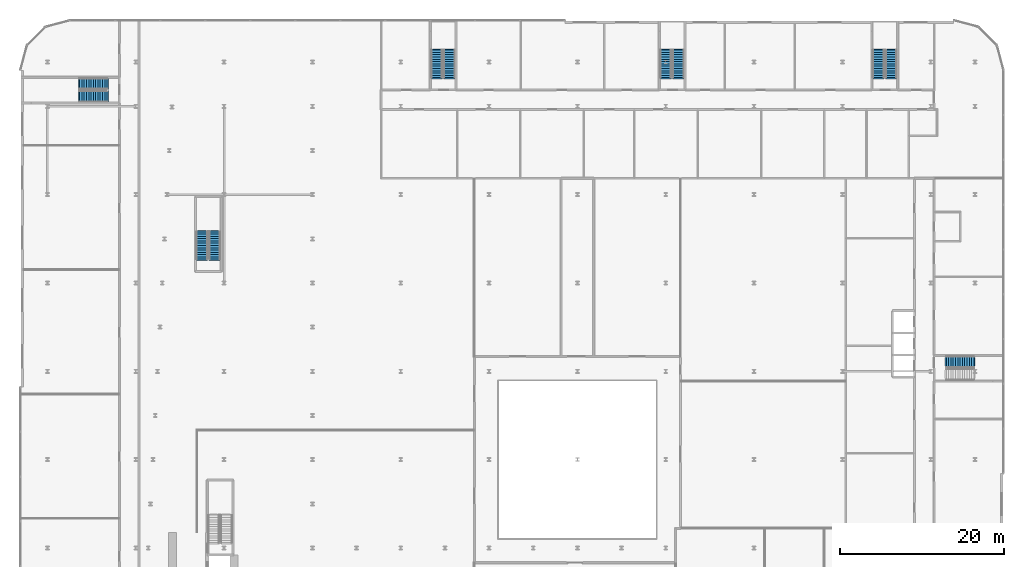
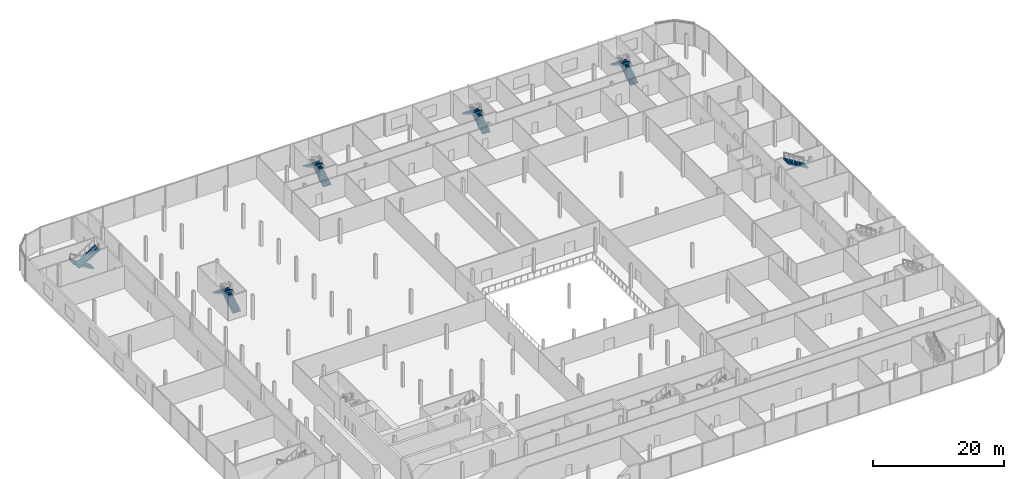
# One storey, part 38 of 47: 11 stair flights, 6 elements without a shape of their own.
"""IFC4 building model written with IfcOpenShell, lengths in metres."""

from ifc_helpers import new_model, si_unit, direction, frame, origin, place, context, subcontext, project, spatial, polyline, outline, extrude, material, layer, layer_set, type_object, element, aggregate, save


model = new_model("IFC4")

# Units and contexts
model_context = context("Model", 3, precision=1e-05, world=origin(), true_north=direction((0.0, 1.0)))
body_context = subcontext(model_context, "Body", "Model", "MODEL_VIEW")
ifc_project = project(units=[si_unit("LENGTHUNIT", "METRE"), si_unit("AREAUNIT", "SQUARE_METRE"), si_unit("VOLUMEUNIT", "CUBIC_METRE"), si_unit("PLANEANGLEUNIT", "RADIAN"), si_unit("MASSUNIT", "GRAM", prefix="KILO")], contexts=[model_context])

# Site, building, storey
site_placement = place(None, origin())
site = spatial("IfcSite", under=ifc_project, at=site_placement, CompositionType="ELEMENT")
building_placement = place(site_placement, origin())
building = spatial("IfcBuilding", under=site, at=building_placement, Name="Kheshtan School and Residences Tower", CompositionType="ELEMENT")
storey_placement = place(building_placement, frame((0.0, 0.0, 12.5)))
storey = spatial("IfcBuildingStorey", under=building, at=storey_placement, Name="L02", CompositionType="ELEMENT", Elevation=12.5)

# Stair, stair flights
ifc_material = material(Name="Concrete C40/50", Category="concrete")
stair_type = type_object("IfcStairType", Name="Exit stair, half-turn", PredefinedType="HALF_TURN_STAIR", material=ifc_material)
stair_1_placement = place(storey_placement, origin())
stair_1 = element("IfcStair", 1, at=stair_1_placement, inside=storey, type_object=stair_type, Name="L02 Protected Exit Stair ST3", PredefinedType="HALF_TURN_STAIR")
ifc_layer = layer(ifc_material, 0.14990234375)
ifc_layer_set = layer_set([ifc_layer], Name="Stair flight 1400 Concrete C40/50")
stair_flight_type = type_object("IfcStairFlightType", Name="Stair flight 1400 Concrete C40/50", PredefinedType="STRAIGHT", material=ifc_layer_set)
stair_flight_1_placement = place(storey_placement, frame((35.64990234375, 80.89990234375, 0.0), z_axis=(0.0, 0.0, 1.0), x_axis=(0.0, 1.0, 0.0)))
stair_flight_1 = element("IfcStairFlight", 2, at=stair_flight_1_placement, type_object=stair_flight_type, Name="ST3 flight 1", NumberOfRisers=13, NumberOfTreads=12, PredefinedType="STRAIGHT", RiserHeight=0.173076923, TreadLength=0.28, context=body_context, shape_type="SweptSolid", body=[
    extrude(outline(polyline([(-0.14990234375, -0.10009765625), (-0.14990234375, 0.0), (0.0, 0.0), (0.0, 0.173095703125), (0.280029296875, 0.173095703125), (0.280029296875, 0.34619140625), (0.56005859375, 0.34619140625), (0.56005859375, 0.519287109375), (0.840087890625, 0.519287109375), (0.840087890625, 0.6923828125), (1.1201171875, 0.6923828125), (1.1201171875, 0.865478515625), (1.39990234375, 0.865478515625), (1.39990234375, 1.03857421875), (1.679931640625, 1.03857421875), (1.679931640625, 1.21142578125), (1.9599609375, 1.21142578125), (1.9599609375, 1.384521484375), (2.239990234375, 1.384521484375), (2.239990234375, 1.5576171875), (2.52001953125, 1.5576171875), (2.52001953125, 1.730712890625), (2.800048828125, 1.730712890625), (2.800048828125, 1.90380859375), (3.080078125, 1.90380859375), (3.080078125, 2.076904296875), (3.360107421875, 2.076904296875), (3.360107421875, 2.25), (3.360107421875, 2.27001953125), (3.510009765625, 2.27001953125), (3.510009765625, 1.900634765625), (0.28515625, 0.0), (-0.14990234375, -0.10009765625)])), frame((0.0, 0.699951171875, 0.0), z_axis=(0.0, -1.0, 0.0), x_axis=(1.0, 0.0, 0.0)), (0.0, 0.0, 1.0), 1.39990234375),
])
stair_flight_2_placement = place(storey_placement, frame((34.10009765625, 84.260009765625, 2.25), z_axis=(0.0, 0.0, 1.0), x_axis=(0.0, -1.0, 0.0)))
stair_flight_2 = element("IfcStairFlight", 3, at=stair_flight_2_placement, type_object=stair_flight_type, Name="ST3 flight 2", NumberOfRisers=13, NumberOfTreads=12, PredefinedType="STRAIGHT", RiserHeight=0.173076923, TreadLength=0.28, context=body_context, shape_type="SweptSolid", body=[
    extrude(outline(polyline([(-0.14990234375, -0.10009765625), (-0.14990234375, 0.0), (0.0, 0.0), (0.0, 0.173095703125), (0.280029296875, 0.173095703125), (0.280029296875, 0.34619140625), (0.56005859375, 0.34619140625), (0.56005859375, 0.519287109375), (0.840087890625, 0.519287109375), (0.840087890625, 0.6923828125), (1.1201171875, 0.6923828125), (1.1201171875, 0.865478515625), (1.39990234375, 0.865478515625), (1.39990234375, 1.03857421875), (1.679931640625, 1.03857421875), (1.679931640625, 1.21142578125), (1.9599609375, 1.21142578125), (1.9599609375, 1.384521484375), (2.239990234375, 1.384521484375), (2.239990234375, 1.5576171875), (2.52001953125, 1.5576171875), (2.52001953125, 1.730712890625), (2.800048828125, 1.730712890625), (2.800048828125, 1.90380859375), (3.080078125, 1.90380859375), (3.080078125, 2.076904296875), (3.360107421875, 2.076904296875), (3.360107421875, 2.25), (3.360107421875, 2.27001953125), (3.510009765625, 2.27001953125), (3.510009765625, 1.900634765625), (0.28515625, 0.0), (-0.14990234375, -0.10009765625)])), frame((0.0, 0.699951171875, 0.0), z_axis=(0.0, -1.0, 0.0), x_axis=(1.0, 0.0, 0.0)), (0.0, 0.0, 1.0), 1.39990234375),
])
aggregate(stair_1, [stair_flight_1, stair_flight_2])

stair_2_placement = place(storey_placement, origin())
stair_2 = element("IfcStair", 4, at=stair_2_placement, inside=storey, type_object=stair_type, Name="L02 Civic Exit Stair 012-100", PredefinedType="HALF_TURN_STAIR")
stair_flight_3_placement = place(storey_placement, frame((22.5, 102.35009765625, 0.0), z_axis=(0.0, 0.0, 1.0), x_axis=(-1.0, 0.0, 0.0)))
stair_flight_3 = element("IfcStairFlight", 5, at=stair_flight_3_placement, type_object=stair_flight_type, Name="PS-012-100 flight 1", NumberOfRisers=13, NumberOfTreads=12, PredefinedType="STRAIGHT", RiserHeight=0.173076923, TreadLength=0.28, context=body_context, shape_type="SweptSolid", body=[
    extrude(outline(polyline([(-0.14990234375, -0.10009765625), (-0.14990234375, 0.0), (0.0, 0.0), (0.0, 0.173095703125), (0.280029296875, 0.173095703125), (0.280029296875, 0.34619140625), (0.56005859375, 0.34619140625), (0.56005859375, 0.519287109375), (0.840087890625, 0.519287109375), (0.840087890625, 0.6923828125), (1.1201171875, 0.6923828125), (1.1201171875, 0.865478515625), (1.39990234375, 0.865478515625), (1.39990234375, 1.03857421875), (1.679931640625, 1.03857421875), (1.679931640625, 1.21142578125), (1.9599609375, 1.21142578125), (1.9599609375, 1.384521484375), (2.239990234375, 1.384521484375), (2.239990234375, 1.5576171875), (2.52001953125, 1.5576171875), (2.52001953125, 1.730712890625), (2.800048828125, 1.730712890625), (2.800048828125, 1.90380859375), (3.080078125, 1.90380859375), (3.080078125, 2.076904296875), (3.360107421875, 2.076904296875), (3.360107421875, 2.25), (3.360107421875, 2.27001953125), (3.510009765625, 2.27001953125), (3.510009765625, 1.900634765625), (0.28515625, 0.0), (-0.14990234375, -0.10009765625)])), frame((0.0, 0.699951171875, 0.0), z_axis=(0.0, -1.0, 0.0), x_axis=(1.0, 0.0, 0.0)), (0.0, 0.0, 1.0), 1.39990234375),
])
stair_flight_4_placement = place(storey_placement, frame((19.139892578125, 100.800048828125, 2.25), z_axis=(0.0, 0.0, 1.0), x_axis=(1.0, 0.0, 0.0)))
stair_flight_4 = element("IfcStairFlight", 6, at=stair_flight_4_placement, type_object=stair_flight_type, Name="PS-012-100 flight 2", NumberOfRisers=13, NumberOfTreads=12, PredefinedType="STRAIGHT", RiserHeight=0.173076923, TreadLength=0.28, context=body_context, shape_type="SweptSolid", body=[
    extrude(outline(polyline([(-0.14990234375, -0.10009765625), (-0.14990234375, 0.0), (0.0, 0.0), (0.0, 0.173095703125), (0.280029296875, 0.173095703125), (0.280029296875, 0.34619140625), (0.56005859375, 0.34619140625), (0.56005859375, 0.519287109375), (0.840087890625, 0.519287109375), (0.840087890625, 0.6923828125), (1.1201171875, 0.6923828125), (1.1201171875, 0.865478515625), (1.39990234375, 0.865478515625), (1.39990234375, 1.03857421875), (1.679931640625, 1.03857421875), (1.679931640625, 1.21142578125), (1.9599609375, 1.21142578125), (1.9599609375, 1.384521484375), (2.239990234375, 1.384521484375), (2.239990234375, 1.5576171875), (2.52001953125, 1.5576171875), (2.52001953125, 1.730712890625), (2.800048828125, 1.730712890625), (2.800048828125, 1.90380859375), (3.080078125, 1.90380859375), (3.080078125, 2.076904296875), (3.360107421875, 2.076904296875), (3.360107421875, 2.25), (3.360107421875, 2.27001953125), (3.510009765625, 2.27001953125), (3.510009765625, 1.900634765625), (0.28515625, 0.0), (-0.14990234375, -0.10009765625)])), frame((0.0, 0.699951171875, 0.0), z_axis=(0.0, -1.0, 0.0), x_axis=(1.0, 0.0, 0.0)), (0.0, 0.0, 1.0), 1.39990234375),
])
aggregate(stair_2, [stair_flight_3, stair_flight_4])

stair_3_placement = place(storey_placement, origin())
stair_3 = element("IfcStair", 7, at=stair_3_placement, inside=storey, type_object=stair_type, Name="L02 School Exit Stair 062-102", PredefinedType="HALF_TURN_STAIR")
stair_flight_5_placement = place(storey_placement, frame((64.35009765625, 103.10009765625, 0.0), z_axis=(0.0, 0.0, 1.0), x_axis=(0.0, 1.0, 0.0)))
stair_flight_5 = element("IfcStairFlight", 8, at=stair_flight_5_placement, type_object=stair_flight_type, Name="PS-062-102 flight 1", NumberOfRisers=13, NumberOfTreads=12, PredefinedType="STRAIGHT", RiserHeight=0.173076923, TreadLength=0.28, context=body_context, shape_type="SweptSolid", body=[
    extrude(outline(polyline([(-0.14990234375, -0.10009765625), (-0.14990234375, 0.0), (0.0, 0.0), (0.0, 0.173095703125), (0.280029296875, 0.173095703125), (0.280029296875, 0.34619140625), (0.56005859375, 0.34619140625), (0.56005859375, 0.519287109375), (0.840087890625, 0.519287109375), (0.840087890625, 0.6923828125), (1.1201171875, 0.6923828125), (1.1201171875, 0.865478515625), (1.39990234375, 0.865478515625), (1.39990234375, 1.03857421875), (1.679931640625, 1.03857421875), (1.679931640625, 1.21142578125), (1.9599609375, 1.21142578125), (1.9599609375, 1.384521484375), (2.239990234375, 1.384521484375), (2.239990234375, 1.5576171875), (2.52001953125, 1.5576171875), (2.52001953125, 1.730712890625), (2.800048828125, 1.730712890625), (2.800048828125, 1.90380859375), (3.080078125, 1.90380859375), (3.080078125, 2.076904296875), (3.360107421875, 2.076904296875), (3.360107421875, 2.25), (3.360107421875, 2.27001953125), (3.510009765625, 2.27001953125), (3.510009765625, 1.900634765625), (0.28515625, 0.0), (-0.14990234375, -0.10009765625)])), frame((0.0, 0.699951171875, 0.0), z_axis=(0.0, -1.0, 0.0), x_axis=(1.0, 0.0, 0.0)), (0.0, 0.0, 1.0), 1.39990234375),
])
stair_flight_6_placement = place(storey_placement, frame((62.800048828125, 106.4599609375, 2.25), z_axis=(0.0, 0.0, 1.0), x_axis=(0.0, -1.0, 0.0)))
stair_flight_6 = element("IfcStairFlight", 9, at=stair_flight_6_placement, type_object=stair_flight_type, Name="PS-062-102 flight 2", NumberOfRisers=13, NumberOfTreads=12, PredefinedType="STRAIGHT", RiserHeight=0.173076923, TreadLength=0.28, context=body_context, shape_type="SweptSolid", body=[
    extrude(outline(polyline([(-0.14990234375, -0.10009765625), (-0.14990234375, 0.0), (0.0, 0.0), (0.0, 0.173095703125), (0.280029296875, 0.173095703125), (0.280029296875, 0.34619140625), (0.56005859375, 0.34619140625), (0.56005859375, 0.519287109375), (0.840087890625, 0.519287109375), (0.840087890625, 0.6923828125), (1.1201171875, 0.6923828125), (1.1201171875, 0.865478515625), (1.39990234375, 0.865478515625), (1.39990234375, 1.03857421875), (1.679931640625, 1.03857421875), (1.679931640625, 1.21142578125), (1.9599609375, 1.21142578125), (1.9599609375, 1.384521484375), (2.239990234375, 1.384521484375), (2.239990234375, 1.5576171875), (2.52001953125, 1.5576171875), (2.52001953125, 1.730712890625), (2.800048828125, 1.730712890625), (2.800048828125, 1.90380859375), (3.080078125, 1.90380859375), (3.080078125, 2.076904296875), (3.360107421875, 2.076904296875), (3.360107421875, 2.25), (3.360107421875, 2.27001953125), (3.510009765625, 2.27001953125), (3.510009765625, 1.900634765625), (0.28515625, 0.0), (-0.14990234375, -0.10009765625)])), frame((0.0, 0.699951171875, 0.0), z_axis=(0.0, -1.0, 0.0), x_axis=(1.0, 0.0, 0.0)), (0.0, 0.0, 1.0), 1.39990234375),
])
aggregate(stair_3, [stair_flight_5, stair_flight_6])

stair_4_placement = place(storey_placement, origin())
stair_4 = element("IfcStair", 10, at=stair_4_placement, inside=storey, type_object=stair_type, Name="L02 School Exit Stair 090-102", PredefinedType="HALF_TURN_STAIR")
stair_flight_7_placement = place(storey_placement, frame((92.35009765625, 103.10009765625, 0.0), z_axis=(0.0, 0.0, 1.0), x_axis=(0.0, 1.0, 0.0)))
stair_flight_7 = element("IfcStairFlight", 11, at=stair_flight_7_placement, type_object=stair_flight_type, Name="PS-090-102 flight 1", NumberOfRisers=13, NumberOfTreads=12, PredefinedType="STRAIGHT", RiserHeight=0.173076923, TreadLength=0.28, context=body_context, shape_type="SweptSolid", body=[
    extrude(outline(polyline([(-0.14990234375, -0.10009765625), (-0.14990234375, 0.0), (0.0, 0.0), (0.0, 0.173095703125), (0.280029296875, 0.173095703125), (0.280029296875, 0.34619140625), (0.56005859375, 0.34619140625), (0.56005859375, 0.519287109375), (0.840087890625, 0.519287109375), (0.840087890625, 0.6923828125), (1.1201171875, 0.6923828125), (1.1201171875, 0.865478515625), (1.39990234375, 0.865478515625), (1.39990234375, 1.03857421875), (1.679931640625, 1.03857421875), (1.679931640625, 1.21142578125), (1.9599609375, 1.21142578125), (1.9599609375, 1.384521484375), (2.239990234375, 1.384521484375), (2.239990234375, 1.5576171875), (2.52001953125, 1.5576171875), (2.52001953125, 1.730712890625), (2.800048828125, 1.730712890625), (2.800048828125, 1.90380859375), (3.080078125, 1.90380859375), (3.080078125, 2.076904296875), (3.360107421875, 2.076904296875), (3.360107421875, 2.25), (3.360107421875, 2.27001953125), (3.510009765625, 2.27001953125), (3.510009765625, 1.900634765625), (0.28515625, 0.0), (-0.14990234375, -0.10009765625)])), frame((0.0, 0.699951171875, 0.0), z_axis=(0.0, -1.0, 0.0), x_axis=(1.0, 0.0, 0.0)), (0.0, 0.0, 1.0), 1.39990234375),
])
stair_flight_8_placement = place(storey_placement, frame((90.800048828125, 106.4599609375, 2.25), z_axis=(0.0, 0.0, 1.0), x_axis=(0.0, -1.0, 0.0)))
stair_flight_8 = element("IfcStairFlight", 12, at=stair_flight_8_placement, type_object=stair_flight_type, Name="PS-090-102 flight 2", NumberOfRisers=13, NumberOfTreads=12, PredefinedType="STRAIGHT", RiserHeight=0.173076923, TreadLength=0.28, context=body_context, shape_type="SweptSolid", body=[
    extrude(outline(polyline([(-0.14990234375, -0.10009765625), (-0.14990234375, 0.0), (0.0, 0.0), (0.0, 0.173095703125), (0.280029296875, 0.173095703125), (0.280029296875, 0.34619140625), (0.56005859375, 0.34619140625), (0.56005859375, 0.519287109375), (0.840087890625, 0.519287109375), (0.840087890625, 0.6923828125), (1.1201171875, 0.6923828125), (1.1201171875, 0.865478515625), (1.39990234375, 0.865478515625), (1.39990234375, 1.03857421875), (1.679931640625, 1.03857421875), (1.679931640625, 1.21142578125), (1.9599609375, 1.21142578125), (1.9599609375, 1.384521484375), (2.239990234375, 1.384521484375), (2.239990234375, 1.5576171875), (2.52001953125, 1.5576171875), (2.52001953125, 1.730712890625), (2.800048828125, 1.730712890625), (2.800048828125, 1.90380859375), (3.080078125, 1.90380859375), (3.080078125, 2.076904296875), (3.360107421875, 2.076904296875), (3.360107421875, 2.25), (3.360107421875, 2.27001953125), (3.510009765625, 2.27001953125), (3.510009765625, 1.900634765625), (0.28515625, 0.0), (-0.14990234375, -0.10009765625)])), frame((0.0, 0.699951171875, 0.0), z_axis=(0.0, -1.0, 0.0), x_axis=(1.0, 0.0, 0.0)), (0.0, 0.0, 1.0), 1.39990234375),
])
aggregate(stair_4, [stair_flight_7, stair_flight_8])

stair_5_placement = place(storey_placement, origin())
stair_5 = element("IfcStair", 13, at=stair_5_placement, inside=storey, type_object=stair_type, Name="L02 School Exit Stair 116-102", PredefinedType="HALF_TURN_STAIR")
stair_flight_9_placement = place(storey_placement, frame((118.35009765625, 103.10009765625, 0.0), z_axis=(0.0, 0.0, 1.0), x_axis=(0.0, 1.0, 0.0)))
stair_flight_9 = element("IfcStairFlight", 14, at=stair_flight_9_placement, type_object=stair_flight_type, Name="PS-116-102 flight 1", NumberOfRisers=13, NumberOfTreads=12, PredefinedType="STRAIGHT", RiserHeight=0.173076923, TreadLength=0.28, context=body_context, shape_type="SweptSolid", body=[
    extrude(outline(polyline([(-0.14990234375, -0.10009765625), (-0.14990234375, 0.0), (0.0, 0.0), (0.0, 0.173095703125), (0.280029296875, 0.173095703125), (0.280029296875, 0.34619140625), (0.56005859375, 0.34619140625), (0.56005859375, 0.519287109375), (0.840087890625, 0.519287109375), (0.840087890625, 0.6923828125), (1.1201171875, 0.6923828125), (1.1201171875, 0.865478515625), (1.39990234375, 0.865478515625), (1.39990234375, 1.03857421875), (1.679931640625, 1.03857421875), (1.679931640625, 1.21142578125), (1.9599609375, 1.21142578125), (1.9599609375, 1.384521484375), (2.239990234375, 1.384521484375), (2.239990234375, 1.5576171875), (2.52001953125, 1.5576171875), (2.52001953125, 1.730712890625), (2.800048828125, 1.730712890625), (2.800048828125, 1.90380859375), (3.080078125, 1.90380859375), (3.080078125, 2.076904296875), (3.360107421875, 2.076904296875), (3.360107421875, 2.25), (3.360107421875, 2.27001953125), (3.510009765625, 2.27001953125), (3.510009765625, 1.900634765625), (0.28515625, 0.0), (-0.14990234375, -0.10009765625)])), frame((0.0, 0.699951171875, 0.0), z_axis=(0.0, -1.0, 0.0), x_axis=(1.0, 0.0, 0.0)), (0.0, 0.0, 1.0), 1.39990234375),
])
stair_flight_10_placement = place(storey_placement, frame((116.800048828125, 106.4599609375, 2.25), z_axis=(0.0, 0.0, 1.0), x_axis=(0.0, -1.0, 0.0)))
stair_flight_10 = element("IfcStairFlight", 15, at=stair_flight_10_placement, type_object=stair_flight_type, Name="PS-116-102 flight 2", NumberOfRisers=13, NumberOfTreads=12, PredefinedType="STRAIGHT", RiserHeight=0.173076923, TreadLength=0.28, context=body_context, shape_type="SweptSolid", body=[
    extrude(outline(polyline([(-0.14990234375, -0.10009765625), (-0.14990234375, 0.0), (0.0, 0.0), (0.0, 0.173095703125), (0.280029296875, 0.173095703125), (0.280029296875, 0.34619140625), (0.56005859375, 0.34619140625), (0.56005859375, 0.519287109375), (0.840087890625, 0.519287109375), (0.840087890625, 0.6923828125), (1.1201171875, 0.6923828125), (1.1201171875, 0.865478515625), (1.39990234375, 0.865478515625), (1.39990234375, 1.03857421875), (1.679931640625, 1.03857421875), (1.679931640625, 1.21142578125), (1.9599609375, 1.21142578125), (1.9599609375, 1.384521484375), (2.239990234375, 1.384521484375), (2.239990234375, 1.5576171875), (2.52001953125, 1.5576171875), (2.52001953125, 1.730712890625), (2.800048828125, 1.730712890625), (2.800048828125, 1.90380859375), (3.080078125, 1.90380859375), (3.080078125, 2.076904296875), (3.360107421875, 2.076904296875), (3.360107421875, 2.25), (3.360107421875, 2.27001953125), (3.510009765625, 2.27001953125), (3.510009765625, 1.900634765625), (0.28515625, 0.0), (-0.14990234375, -0.10009765625)])), frame((0.0, 0.699951171875, 0.0), z_axis=(0.0, -1.0, 0.0), x_axis=(1.0, 0.0, 0.0)), (0.0, 0.0, 1.0), 1.39990234375),
])
aggregate(stair_5, [stair_flight_9, stair_flight_10])

# Stair, stair flight
stair_6_placement = place(storey_placement, origin())
stair_6 = element("IfcStair", 16, at=stair_6_placement, inside=storey, type_object=stair_type, Name="L02 School Exit Stair 124-066", PredefinedType="HALF_TURN_STAIR")
stair_flight_11_placement = place(storey_placement, frame((128.4599609375, 68.35009765625, 2.25), z_axis=(0.0, 0.0, 1.0), x_axis=(-1.0, 0.0, 0.0)))
stair_flight_11 = element("IfcStairFlight", 17, at=stair_flight_11_placement, type_object=stair_flight_type, Name="PS-124-066 flight 2", NumberOfRisers=13, NumberOfTreads=12, PredefinedType="STRAIGHT", RiserHeight=0.173076923, TreadLength=0.28, context=body_context, shape_type="SweptSolid", body=[
    extrude(outline(polyline([(-0.14990234375, -0.10009765625), (-0.14990234375, 0.0), (0.0, 0.0), (0.0, 0.173095703125), (0.280029296875, 0.173095703125), (0.280029296875, 0.34619140625), (0.56005859375, 0.34619140625), (0.56005859375, 0.519287109375), (0.840087890625, 0.519287109375), (0.840087890625, 0.6923828125), (1.1201171875, 0.6923828125), (1.1201171875, 0.865478515625), (1.39990234375, 0.865478515625), (1.39990234375, 1.03857421875), (1.679931640625, 1.03857421875), (1.679931640625, 1.21142578125), (1.9599609375, 1.21142578125), (1.9599609375, 1.384521484375), (2.239990234375, 1.384521484375), (2.239990234375, 1.5576171875), (2.52001953125, 1.5576171875), (2.52001953125, 1.730712890625), (2.800048828125, 1.730712890625), (2.800048828125, 1.90380859375), (3.080078125, 1.90380859375), (3.080078125, 2.076904296875), (3.360107421875, 2.076904296875), (3.360107421875, 2.25), (3.360107421875, 2.27001953125), (3.510009765625, 2.27001953125), (3.510009765625, 1.900634765625), (0.28515625, 0.0), (-0.14990234375, -0.10009765625)])), frame((0.0, 0.699951171875, 0.0), z_axis=(0.0, -1.0, 0.0), x_axis=(1.0, 0.0, 0.0)), (0.0, 0.0, 1.0), 1.39990234375),
])
aggregate(stair_6, [stair_flight_11])

save(model, "model.ifc")
